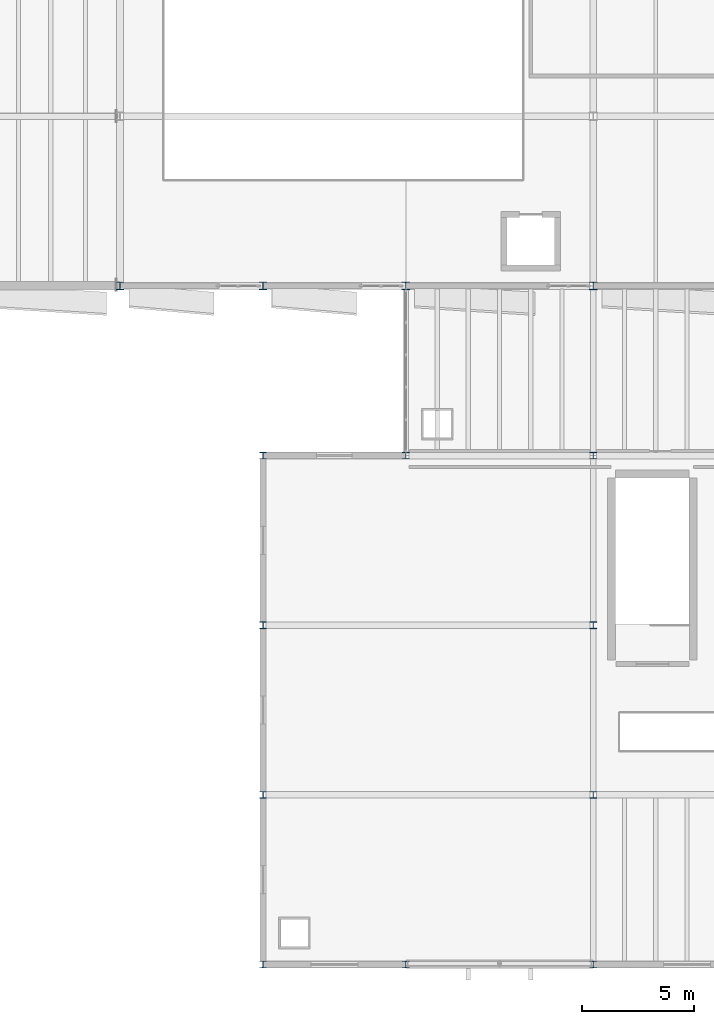
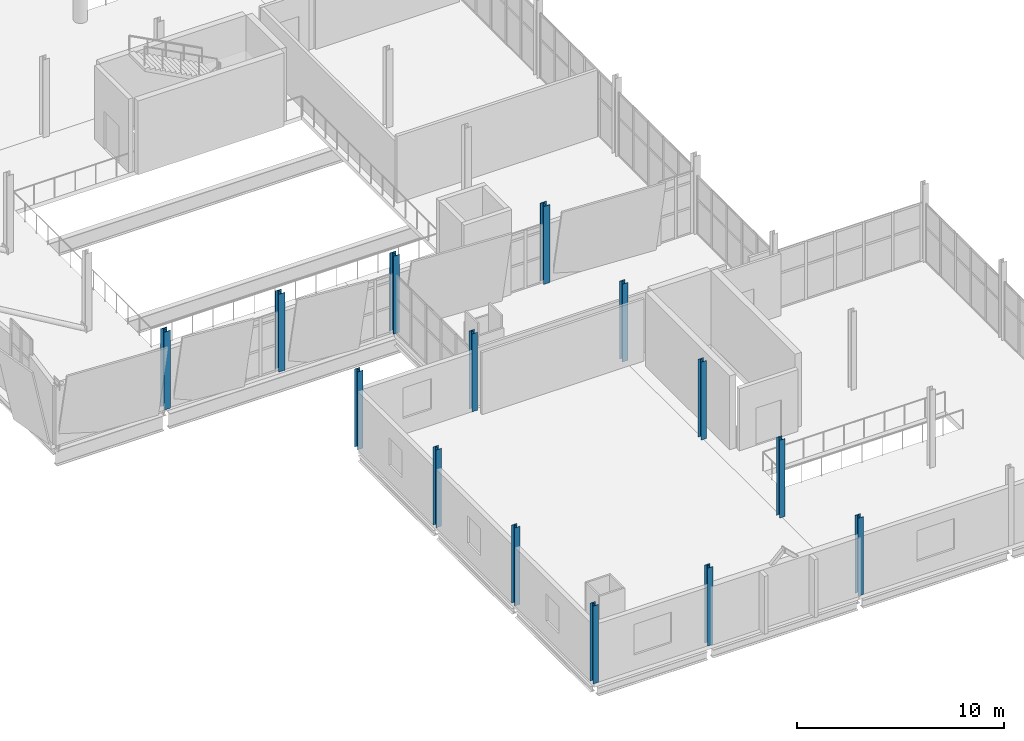
# One storey, part 1 of 136: 14 columns.
"""IFC4 building model written with IfcOpenShell, lengths in metres."""

import ifcopenshell
import ifcopenshell.guid

model = None  # the IFC model being written
_history = None  # IfcOwnerHistory: only IFC2X3 demands one
_inside = {}  # id of a spatial element -> (the spatial element, [elements in it])
_under = {}  # id of a project, library or spatial element -> (it, [spatial elements below it])
_declared = {}  # id of a project -> (the project, [libraries it declares])
_typed = {}  # id of a type object -> (the type object, [elements of that type])
_made_of = {}  # id of a material, layer set ... -> (it, [elements and type objects made of it])


def new_model(schema):
    """Start an empty IFC model of exactly this schema.

    Asked for "IFC4X3", IfcOpenShell would pick the latest addendum, in which some entities
    have other attributes; the version numbers below select the first issue.
    IFC2X3 requires an IfcOwnerHistory on every rooted entity: one is made here for all.
    """
    global model, _history
    if schema == "IFC4X3":
        model = ifcopenshell.file(schema_version=(4, 3, 0, 0))
    else:
        model = ifcopenshell.file(schema=schema)
    _inside.clear()
    _under.clear()
    _declared.clear()
    _typed.clear()
    _made_of.clear()
    _history = None
    if model.schema == "IFC2X3":
        org = make("IfcOrganization", Name="unknown")
        user = make(
            "IfcPersonAndOrganization",
            ThePerson=make("IfcPerson", FamilyName="unknown"),
            TheOrganization=org,
        )
        app = make(
            "IfcApplication",
            ApplicationDeveloper=org,
            Version="unknown",
            ApplicationFullName="unknown",
            ApplicationIdentifier="unknown",
        )
        _history = make(
            "IfcOwnerHistory",
            OwningUser=user,
            OwningApplication=app,
            ChangeAction="ADDED",
            CreationDate=0,
        )
    return model


def make(cls, **values):
    """One entity of the class cls with the attributes given. An attribute that is None is left unset."""
    return model.create_entity(
        cls, **{name: value for name, value in values.items() if value is not None}
    )


def rooted(cls, **values):
    """An entity with a GlobalId (a new one), such as an element, a storey or a relation."""
    return make(cls, GlobalId=ifcopenshell.guid.new(), OwnerHistory=_history, **values)


def si_unit(unit_type, name, prefix=None):
    """IfcSIUnit, for example si_unit("LENGTHUNIT", "METRE", prefix="MILLI")."""
    return make("IfcSIUnit", UnitType=unit_type, Prefix=prefix, Name=name)


def assignment(units):
    """IfcUnitAssignment: the units of a project."""
    return None if units is None else make("IfcUnitAssignment", Units=units)


def point(xyz):
    """IfcCartesianPoint."""
    return None if xyz is None else make("IfcCartesianPoint", Coordinates=xyz)


def direction(xyz):
    """IfcDirection."""
    return None if xyz is None else make("IfcDirection", DirectionRatios=xyz)


def frame(location, z_axis=None, x_axis=None):
    """IfcAxis2Placement3D, a coordinate frame: its origin and axes. An axis left out is left unset."""
    return make(
        "IfcAxis2Placement3D",
        Location=point(location),
        Axis=direction(z_axis),
        RefDirection=direction(x_axis),
    )


def frame_2d(location, x_axis=None):
    """IfcAxis2Placement2D, a coordinate frame in the plane: its origin and x axis."""
    return make(
        "IfcAxis2Placement2D", Location=point(location), RefDirection=direction(x_axis)
    )


def origin():
    """The frame at (0, 0, 0) with its axes left unset."""
    return frame((0.0, 0.0, 0.0))


def origin_2d():
    """The frame at (0, 0) in the plane with its x axis left unset."""
    return frame_2d((0.0, 0.0))


def place(relative_to, where):
    """IfcLocalPlacement: puts the frame where relative to a parent placement (None: the world)."""
    return make(
        "IfcLocalPlacement", PlacementRelTo=relative_to, RelativePlacement=where
    )


def context(
    kind, dimensions, precision=None, world=None, true_north=None, identifier=None
):
    """IfcGeometricRepresentationContext, for example the 3D "Model" context."""
    return make(
        "IfcGeometricRepresentationContext",
        ContextIdentifier=identifier,
        ContextType=kind,
        CoordinateSpaceDimension=dimensions,
        Precision=precision,
        WorldCoordinateSystem=world,
        TrueNorth=true_north,
    )


def subcontext(parent, identifier, kind, view, scale=None):
    """IfcGeometricRepresentationSubContext, for example "Body" below "Model"."""
    return make(
        "IfcGeometricRepresentationSubContext",
        ContextIdentifier=identifier,
        ContextType=kind,
        ParentContext=parent,
        TargetScale=scale,
        TargetView=view,
    )


def project(units=None, contexts=None):
    """IfcProject with its units and contexts."""
    return rooted(
        "IfcProject",
        Name="project",
        RepresentationContexts=contexts,
        UnitsInContext=assignment(units),
    )


def spatial(cls, under=None, at=None, **own):
    """A site, building, storey or space (cls), placed at a placement, below another one or the project."""
    s = rooted(cls, ObjectPlacement=at, **own)
    if under is not None:
        _under.setdefault(under.id(), (under, []))[1].append(s)
    return s


def profile(cls, at=None, kind="AREA", **sizes):
    """A parametric profile (cls). Its sizes go by their IFC names, for example OverallWidth=200.0."""
    return make(cls, ProfileType=kind, Position=at, **sizes)


def i_section(**sizes):
    """IfcIShapeProfileDef."""
    return profile("IfcIShapeProfileDef", **sizes)


def extrude(swept, where, along, depth):
    """IfcExtrudedAreaSolid: the profile swept, set in the frame where, extruded along a direction by depth."""
    return make(
        "IfcExtrudedAreaSolid",
        SweptArea=swept,
        Position=where,
        ExtrudedDirection=direction(along),
        Depth=depth,
    )


def shape(context_of_items, identifier, shape_type, items):
    """IfcShapeRepresentation: the items that make up one representation, for example the "Body"."""
    return make(
        "IfcShapeRepresentation",
        ContextOfItems=context_of_items,
        RepresentationIdentifier=identifier,
        RepresentationType=shape_type,
        Items=items,
    )


def material(Name=None, Category=None):
    """IfcMaterial."""
    return make("IfcMaterial", Name=Name, Category=Category)


def material_profile(
    of_material, cross_section, Name=None, Category=None, Priority=None
):
    """IfcMaterialProfile: a cross section and its material."""
    return make(
        "IfcMaterialProfile",
        Name=Name,
        Material=of_material,
        Profile=cross_section,
        Priority=Priority,
        Category=Category,
    )


def profile_set(profiles, Name=None, composite=None):
    """IfcMaterialProfileSet."""
    return make(
        "IfcMaterialProfileSet",
        Name=Name,
        MaterialProfiles=profiles,
        CompositeProfile=composite,
    )


def made_of(thing, what):
    """Note that an element or type object is made of a material, layer set ...; save() writes the relation."""
    if what is not None:
        _made_of.setdefault(what.id(), (what, []))[1].append(thing)
    return thing


def type_object(cls, material=None, **own):
    """A type object (cls), such as IfcWallType, which elements share."""
    return made_of(rooted(cls, **own), material)


def element(
    cls,
    number,
    at=None,
    inside=None,
    cuts=None,
    type_object=None,
    material=None,
    context=None,
    identifier="Body",
    shape_type=None,
    held_by="IfcProductDefinitionShape",
    body=None,
    shapes=None,
    **own,
):
    """One element of the class cls, such as IfcWall. Its Tag is "e" and its number.

    at: its placement. inside: the storey or other place that contains it. cuts: it is an
    opening in that element (IfcRelVoidsElement). A single representation is given by context,
    identifier, shape_type and body (its items); several are given by shapes. held_by: the class
    of the entity that holds the representations. save() writes the other relations.
    """
    e = rooted(cls, Tag="e%d" % number, ObjectPlacement=at, **own)
    if body is not None:
        shapes = [shape(context, identifier, shape_type, body)]
    if shapes is not None:
        e.Representation = make(held_by, Representations=shapes)
    if inside is not None:
        _inside.setdefault(inside.id(), (inside, []))[1].append(e)
    if cuts is not None:
        rooted(
            "IfcRelVoidsElement", RelatingBuildingElement=cuts, RelatedOpeningElement=e
        )
    if type_object is not None:
        _typed.setdefault(type_object.id(), (type_object, []))[1].append(e)
    return made_of(e, material)


def aggregate(whole, parts):
    """IfcRelAggregates: a whole, such as a stair, and the parts it consists of."""
    return rooted("IfcRelAggregates", RelatingObject=whole, RelatedObjects=parts)


def save(model, path):
    """Write the relations noted so far, then the file.

    IfcRelAggregates (storeys below a building ...), IfcRelContainedInSpatialStructure (elements
    in a storey), IfcRelDefinesByType, IfcRelAssociatesMaterial and IfcRelDeclares: one each for
    every whole, place, type object, material and project.
    """
    for whole, parts in _under.values():
        aggregate(whole, parts)
    for where, things in _inside.values():
        rooted(
            "IfcRelContainedInSpatialStructure",
            RelatedElements=things,
            RelatingStructure=where,
        )
    for kind, things in _typed.values():
        rooted("IfcRelDefinesByType", RelatedObjects=things, RelatingType=kind)
    for what, things in _made_of.values():
        rooted("IfcRelAssociatesMaterial", RelatedObjects=things, RelatingMaterial=what)
    for by, libraries in _declared.values():
        rooted("IfcRelDeclares", RelatingContext=by, RelatedDefinitions=libraries)
    model.write(path)


model = new_model("IFC4")

# Units and contexts
model_context = context("Model", 3, precision=1e-05, world=origin(), true_north=direction((0.0, 1.0)))
body_context = subcontext(model_context, "Body", "Model", "MODEL_VIEW")
ifc_project = project(units=[si_unit("LENGTHUNIT", "METRE"), si_unit("AREAUNIT", "SQUARE_METRE"), si_unit("VOLUMEUNIT", "CUBIC_METRE"), si_unit("PLANEANGLEUNIT", "RADIAN"), si_unit("MASSUNIT", "GRAM", prefix="KILO")], contexts=[model_context])

# Site, building, storey
site_placement = place(None, origin())
site = spatial("IfcSite", under=ifc_project, at=site_placement, CompositionType="ELEMENT")
building_placement = place(site_placement, origin())
building = spatial("IfcBuilding", under=site, at=building_placement, Name="Shengluoqiao Park Theatre", CompositionType="ELEMENT")
storey_placement = place(building_placement, frame((0.0, 0.0, 10.0)))
storey = spatial("IfcBuildingStorey", under=building, at=storey_placement, Name="L02", CompositionType="ELEMENT", Elevation=10.0)

# Columns
ifc_material = material(Name="Steel Q355", Category="steel")
ifc_material_profile_1 = material_profile(ifc_material, i_section(OverallWidth=0.300048828125, OverallDepth=0.300048828125, WebThickness=0.010009765625, FlangeThickness=0.014892578125, FilletRadius=0.01806640625, at=origin_2d()), Name="HW 300x300x10x15")
ifc_profile_set_1 = profile_set([ifc_material_profile_1], Name="Steel Q355")
column_type_1 = type_object("IfcColumnType", Name="STR-COL-C-HW300", PredefinedType="COLUMN", material=ifc_profile_set_1)
for number, where, z_axis, x_axis, name in (
    (1, (12.800048828125, 0.0, 0.0), (0.0, 0.0, 1.0), (1.0, 0.0, 0.0), "L02 Column 0032"),
    (2, (12.800048828125, 7.60009765625, 0.0), (0.0, 0.0, 1.0), (1.0, 0.0, 0.0), "L02 Column 0036"),
    (3, (12.800048828125, 15.199951171875, 0.0), (0.0, 0.0, 1.0), (1.0, 0.0, 0.0), "L02 Column 0040"),
    (4, (12.800048828125, 22.800048828125, 0.0), (0.0, 0.0, 1.0), (1.0, 0.0, 0.0), "L02 Column 0044"),
    (5, (19.199951171875, 0.0, 0.0), (0.0, 0.0, 1.0), (1.0, 0.0, 0.0), "L02 Column 0070"),
    (6, (19.199951171875, 22.800048828125, 0.0), (0.0, 0.0, 1.0), (1.0, 0.0, 0.0), "L02 Column 0076"),
    (7, (27.60009765625, 0.0, 0.0), (0.0, 0.0, 1.0), (1.0, 0.0, 0.0), "L02 Column 0102"),
    (8, (27.60009765625, 7.60009765625, 0.0), (0.0, 0.0, 1.0), (1.0, 0.0, 0.0), "L02 Column 0106"),
    (9, (27.60009765625, 15.199951171875, 0.0), (0.0, 0.0, 1.0), (1.0, 0.0, 0.0), "L02 Column 0110"),
    (10, (27.60009765625, 22.800048828125, 0.0), (0.0, 0.0, 1.0), (1.0, 0.0, 0.0), "L02 Column 0114"),
):
    element("IfcColumn", number, at=place(storey_placement, frame(where, z_axis=z_axis, x_axis=x_axis)), inside=storey, type_object=column_type_1, Name=name, PredefinedType="COLUMN", context=body_context, shape_type="SweptSolid", body=[
        extrude(i_section(OverallWidth=0.300048828125, OverallDepth=0.300048828125, WebThickness=0.010009765625, FlangeThickness=0.014892578125, FilletRadius=0.01806640625, at=origin_2d()), origin(), (0.0, 0.0, 1.0), 4.60009765625),
    ])
ifc_material_profile_2 = material_profile(ifc_material, i_section(OverallWidth=0.347900390625, OverallDepth=0.343994140625, WebThickness=0.010009765625, FlangeThickness=0.01611328125, FilletRadius=0.01806640625, at=origin_2d()), Name="HW 344x348x10x16")
ifc_profile_set_2 = profile_set([ifc_material_profile_2], Name="Steel Q355")
column_type_2 = type_object("IfcColumnType", Name="STR-COL-C-HW344", PredefinedType="COLUMN", material=ifc_profile_set_2)
for number, where, z_axis, x_axis, name in (
    (11, (6.39990234375, 30.39990234375, 0.0), (0.0, 0.0, 1.0), (1.0, 0.0, 0.0), "L02 Column 0003"),
    (12, (12.800048828125, 30.39990234375, 0.0), (0.0, 0.0, 1.0), (1.0, 0.0, 0.0), "L02 Column 0047"),
    (13, (19.199951171875, 30.39990234375, 0.0), (0.0, 0.0, 1.0), (1.0, 0.0, 0.0), "L02 Column 0079"),
    (14, (27.60009765625, 30.39990234375, 0.0), (0.0, 0.0, 1.0), (1.0, 0.0, 0.0), "L02 Column 0117"),
):
    element("IfcColumn", number, at=place(storey_placement, frame(where, z_axis=z_axis, x_axis=x_axis)), inside=storey, type_object=column_type_2, Name=name, PredefinedType="COLUMN", context=body_context, shape_type="SweptSolid", body=[
        extrude(i_section(OverallWidth=0.347900390625, OverallDepth=0.343994140625, WebThickness=0.010009765625, FlangeThickness=0.01611328125, FilletRadius=0.01806640625, at=origin_2d()), origin(), (0.0, 0.0, 1.0), 4.60009765625),
    ])

save(model, "model.ifc")
